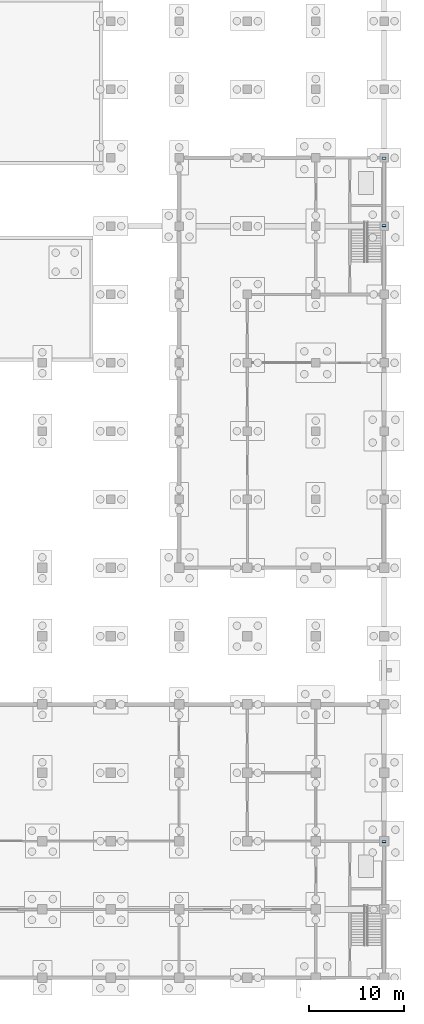
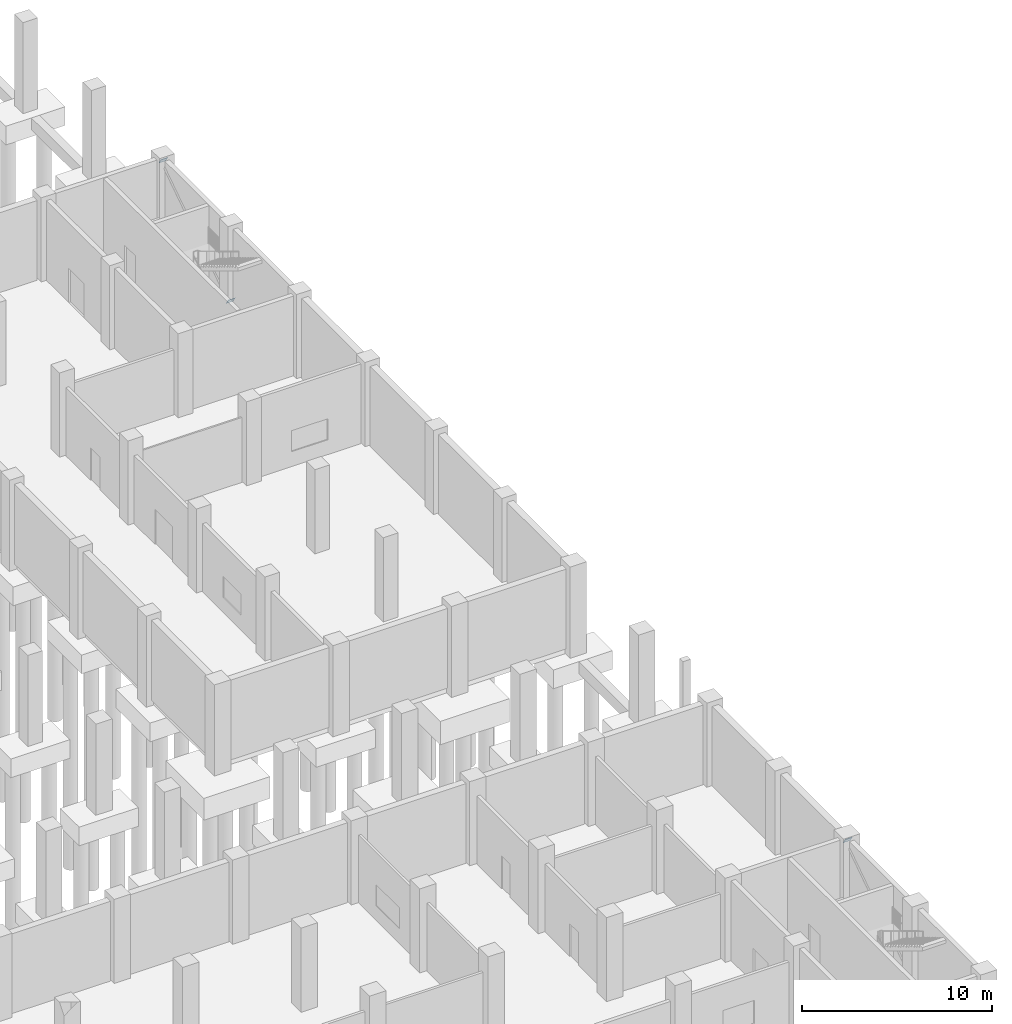
# One storey, part 18 of 35: 3 plates.
"""IFC4 building model written with IfcOpenShell, lengths in metres."""

from ifc_helpers import new_model, si_unit, direction, frame, origin, origin_2d, place, context, subcontext, project, spatial, rectangle, extrude, material, layer, layer_set, type_object, element, save


model = new_model("IFC4")

# Units and contexts
model_context = context("Model", 3, precision=1e-05, world=origin(), true_north=direction((0.0, 1.0)))
body_context = subcontext(model_context, "Body", "Model", "MODEL_VIEW")
ifc_project = project(units=[si_unit("LENGTHUNIT", "METRE"), si_unit("AREAUNIT", "SQUARE_METRE"), si_unit("VOLUMEUNIT", "CUBIC_METRE"), si_unit("PLANEANGLEUNIT", "RADIAN"), si_unit("MASSUNIT", "GRAM", prefix="KILO")], contexts=[model_context])

# Site, building, storey
site_placement = place(None, origin())
site = spatial("IfcSite", under=ifc_project, at=site_placement, CompositionType="ELEMENT")
building_placement = place(site_placement, origin())
building = spatial("IfcBuilding", under=site, at=building_placement, Name="Vesperath Aquatics Centre", CompositionType="ELEMENT")
storey_placement = place(building_placement, frame((0.0, 0.0, -5.39990234375)))
storey = spatial("IfcBuildingStorey", under=building, at=storey_placement, Name="B1", CompositionType="ELEMENT", Elevation=-5.39990234375)

# Plates
ifc_material = material(Name="Steel Q355D", Category="steel")
ifc_layer = layer(ifc_material, 0.02392578125)
ifc_layer_set = layer_set([ifc_layer], Name="Steel Q355D")
plate_type = type_object("IfcPlateType", Name="PT-TN04", PredefinedType="SHEET", material=ifc_layer_set)
for number, where, z_axis, x_axis, name in (
    (1, (172.800048828125, 86.446533203125, 0.180908203125), (0.0, 0.832050294338, 0.554700196225), (-1.0, 0.0, 0.0), "Truss Node Cap Plate TN04"),
    (2, (172.800048828125, 93.533447265625, 4.905517578125), (0.0, 0.832050294338, 0.554700196225), (-1.0, 0.0, 0.0), "Truss Node Cap Plate TN04"),
    (3, (172.800048828125, 21.533447265625, 4.905517578125), (0.0, 0.832050294338, 0.554700196225), (-1.0, 0.0, 0.0), "Truss Node Cap Plate TN04"),
):
    element("IfcPlate", number, at=place(storey_placement, frame(where, z_axis=z_axis, x_axis=x_axis)), inside=storey, type_object=plate_type, Name=name, PredefinedType="SHEET", context=body_context, shape_type="SweptSolid", body=[
        extrude(rectangle(XDim=0.419921875, YDim=0.419921875, at=origin_2d()), origin(), (0.0, 0.0, 1.0), 0.02392578125),
    ])

save(model, "model.ifc")
